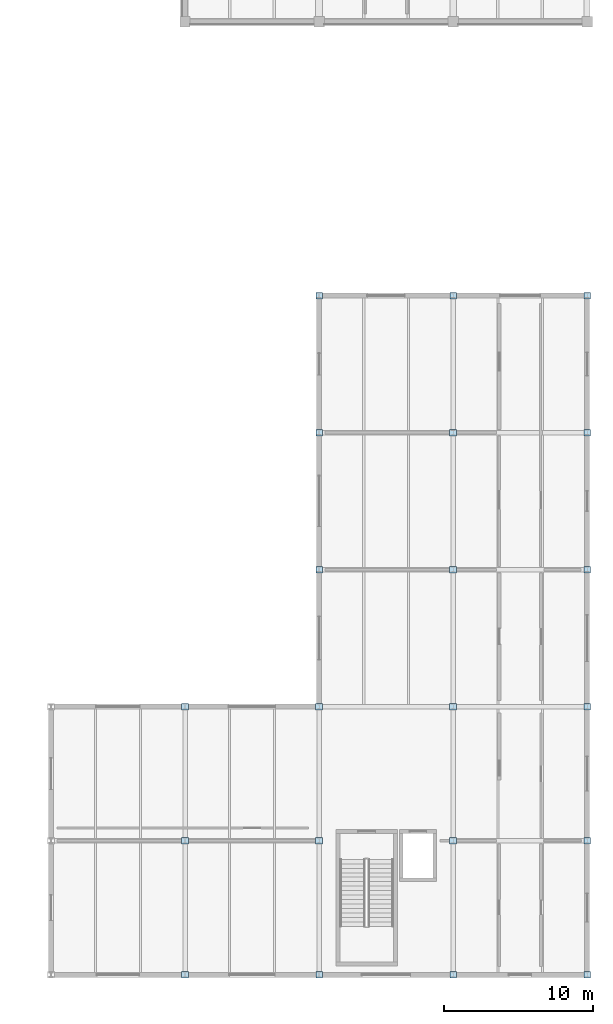
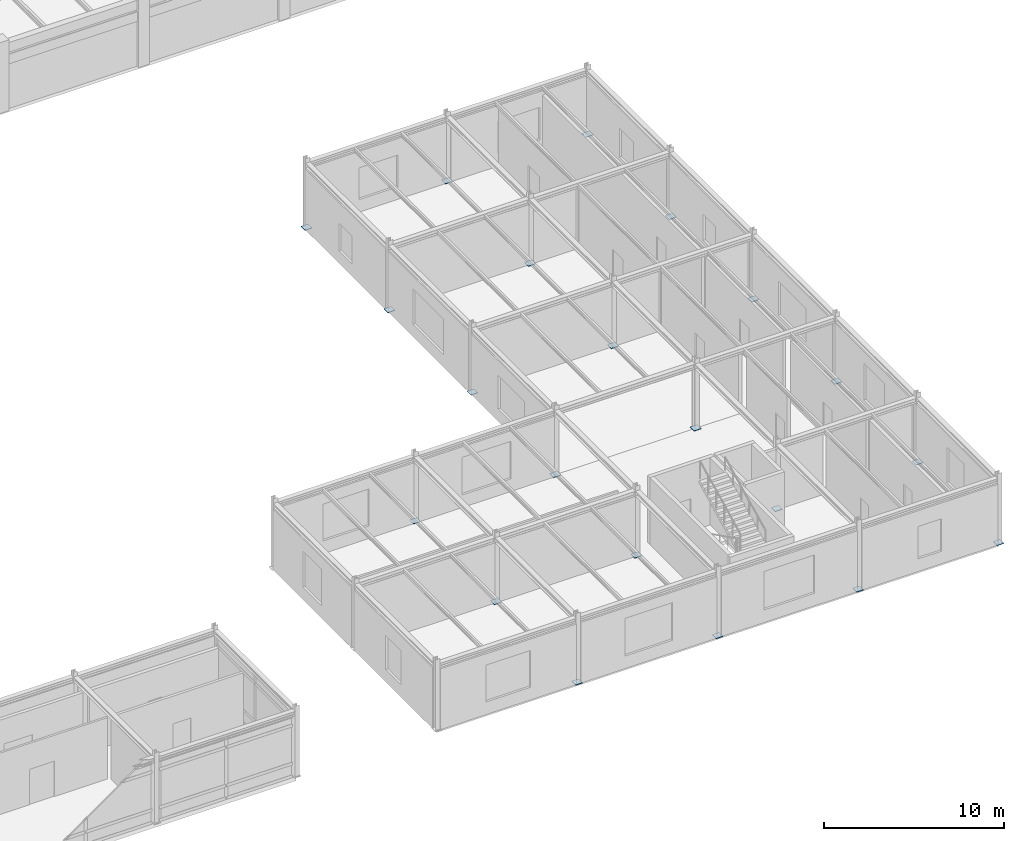
# One storey, part 44 of 61: 21 plates.
"""IFC4 building model written with IfcOpenShell, lengths in metres."""

from ifc_helpers import new_model, si_unit, direction, frame, origin, origin_2d, place, context, subcontext, project, spatial, rectangle, extrude, material, layer, layer_set, type_object, element, save


model = new_model("IFC4")

# Units and contexts
model_context = context("Model", 3, precision=1e-05, world=origin(), true_north=direction((0.0, 1.0)))
body_context = subcontext(model_context, "Body", "Model", "MODEL_VIEW")
ifc_project = project(units=[si_unit("LENGTHUNIT", "METRE"), si_unit("AREAUNIT", "SQUARE_METRE"), si_unit("VOLUMEUNIT", "CUBIC_METRE"), si_unit("PLANEANGLEUNIT", "RADIAN"), si_unit("MASSUNIT", "GRAM", prefix="KILO")], contexts=[model_context])

# Site, building, storey
site_placement = place(None, origin())
site = spatial("IfcSite", under=ifc_project, at=site_placement, CompositionType="ELEMENT")
building_placement = place(site_placement, origin())
building = spatial("IfcBuilding", under=site, at=building_placement, Name="Bozkorgan Art Gallery", CompositionType="ELEMENT")
storey_placement = place(building_placement, frame((0.0, 0.0, 10.199951171875)))
storey = spatial("IfcBuildingStorey", under=building, at=storey_placement, Name="L02", CompositionType="ELEMENT", Elevation=10.199951171875)

# Plates
ifc_material = material(Name="Steel S355J2", Category="steel")
ifc_layer_1 = layer(ifc_material, 0.031982421875, Name="Steel S355J2")
ifc_layer_set_1 = layer_set([ifc_layer_1], Name="Steel S355J2")
plate_type_1 = type_object("IfcPlateType", Name="PLATE-BP-09", PredefinedType="USERDEFINED", material=ifc_layer_set_1)
for number, where, z_axis, x_axis, name in (
    (1, (137.0, 2.0, 0.0), (0.0, 0.0, 1.0), (1.0, 0.0, 0.0), "COL-V6-L02-137-2 base plate"),
    (2, (137.0, 20.0, 0.0), (0.0, 0.0, 1.0), (1.0, 0.0, 0.0), "COL-V6-L02-137-20 base plate"),
    (3, (146.0, 2.0, 0.0), (0.0, 0.0, 1.0), (1.0, 0.0, 0.0), "COL-V6-L02-146-2 base plate"),
    (4, (146.0, 29.199951171875, 0.0), (0.0, 0.0, 1.0), (1.0, 0.0, 0.0), "COL-V6-L02-146-29 base plate"),
    (5, (146.0, 38.39990234375, 0.0), (0.0, 0.0, 1.0), (1.0, 0.0, 0.0), "COL-V6-L02-146-38 base plate"),
    (6, (146.0, 47.60009765625, 0.0), (0.0, 0.0, 1.0), (1.0, 0.0, 0.0), "COL-V6-L02-146-48 base plate"),
    (7, (155.0, 2.0, 0.0), (0.0, 0.0, 1.0), (1.0, 0.0, 0.0), "COL-V6-L02-155-2 base plate"),
    (8, (155.0, 47.60009765625, 0.0), (0.0, 0.0, 1.0), (1.0, 0.0, 0.0), "COL-V6-L02-155-48 base plate"),
    (9, (164.0, 2.0, 0.0), (0.0, 0.0, 1.0), (1.0, 0.0, 0.0), "COL-V6-L02-164-2 base plate"),
    (10, (164.0, 11.0, 0.0), (0.0, 0.0, 1.0), (1.0, 0.0, 0.0), "COL-V6-L02-164-11 base plate"),
    (11, (164.0, 20.0, 0.0), (0.0, 0.0, 1.0), (1.0, 0.0, 0.0), "COL-V6-L02-164-20 base plate"),
    (12, (164.0, 29.199951171875, 0.0), (0.0, 0.0, 1.0), (1.0, 0.0, 0.0), "COL-V6-L02-164-29 base plate"),
    (13, (164.0, 38.39990234375, 0.0), (0.0, 0.0, 1.0), (1.0, 0.0, 0.0), "COL-V6-L02-164-38 base plate"),
    (14, (164.0, 47.60009765625, 0.0), (0.0, 0.0, 1.0), (1.0, 0.0, 0.0), "COL-V6-L02-164-48 base plate"),
):
    element("IfcPlate", number, at=place(storey_placement, frame(where, z_axis=z_axis, x_axis=x_axis)), inside=storey, type_object=plate_type_1, Name=name, ObjectType="END CAP PLATE", PredefinedType="USERDEFINED", context=body_context, shape_type="SweptSolid", body=[
        extrude(rectangle(XDim=0.43994140625, YDim=0.43994140625, at=origin_2d()), origin(), (0.0, 0.0, 1.0), 0.031982421875),
    ])
ifc_layer_2 = layer(ifc_material, 0.031982421875, Name="Steel S355J2")
ifc_layer_set_2 = layer_set([ifc_layer_2], Name="Steel S355J2")
plate_type_2 = type_object("IfcPlateType", Name="PLATE-BP-78", PredefinedType="USERDEFINED", material=ifc_layer_set_2)
for number, where, z_axis, x_axis, name in (
    (15, (137.0, 11.0, 0.0), (0.0, 0.0, 1.0), (1.0, 0.0, 0.0), "COL-V6-L02-137-11 base plate"),
    (16, (146.0, 11.0, 0.0), (0.0, 0.0, 1.0), (1.0, 0.0, 0.0), "COL-V6-L02-146-11 base plate"),
    (17, (146.0, 20.0, 0.0), (0.0, 0.0, 1.0), (1.0, 0.0, 0.0), "COL-V6-L02-146-20 base plate"),
    (18, (155.0, 11.0, 0.0), (0.0, 0.0, 1.0), (1.0, 0.0, 0.0), "COL-V6-L02-155-11 base plate"),
    (19, (155.0, 20.0, 0.0), (0.0, 0.0, 1.0), (1.0, 0.0, 0.0), "COL-V6-L02-155-20 base plate"),
    (20, (155.0, 29.199951171875, 0.0), (0.0, 0.0, 1.0), (1.0, 0.0, 0.0), "COL-V6-L02-155-29 base plate"),
    (21, (155.0, 38.39990234375, 0.0), (0.0, 0.0, 1.0), (1.0, 0.0, 0.0), "COL-V6-L02-155-38 base plate"),
):
    element("IfcPlate", number, at=place(storey_placement, frame(where, z_axis=z_axis, x_axis=x_axis)), inside=storey, type_object=plate_type_2, Name=name, ObjectType="END CAP PLATE", PredefinedType="USERDEFINED", context=body_context, shape_type="SweptSolid", body=[
        extrude(rectangle(XDim=0.4599609375, YDim=0.449951171875, at=origin_2d()), origin(), (0.0, 0.0, 1.0), 0.031982421875),
    ])

save(model, "model.ifc")
